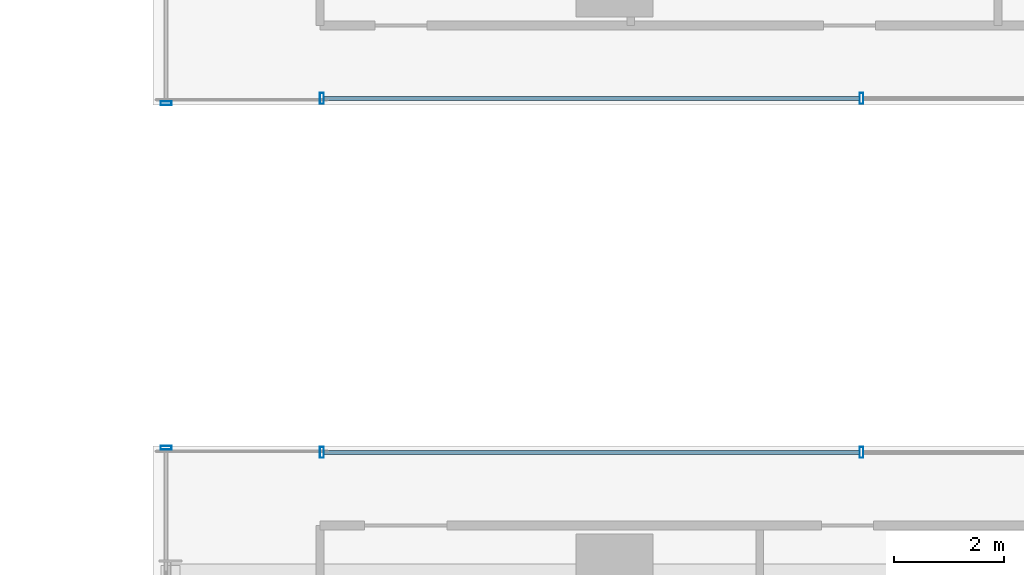
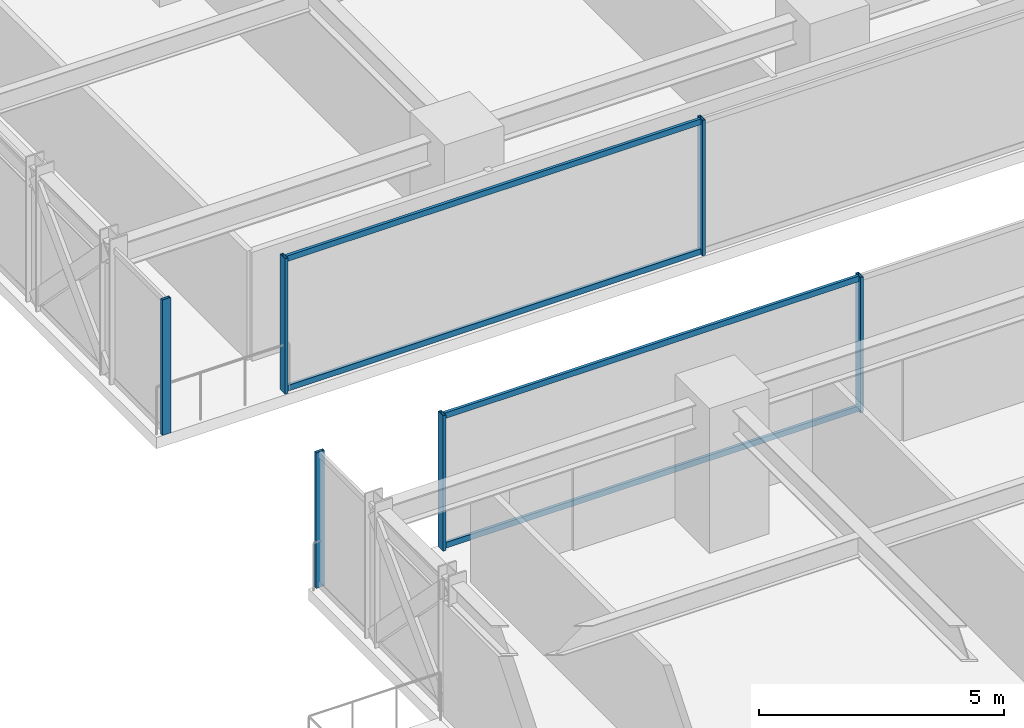
# One storey, part 9 of 37: 10 members, 4 elements without a shape of their own.
"""IFC4 building model written with IfcOpenShell, lengths in metres."""

from ifc_helpers import new_model, si_unit, direction, frame, origin, origin_2d, place, context, subcontext, project, spatial, hollow_rectangle, extrude, source, transform, mapped, material, material_profile, profile_set, type_object, element, aggregate, save


model = new_model("IFC4")

# Units and contexts
model_context = context("Model", 3, precision=1e-05, world=origin(), true_north=direction((0.0, 1.0)))
body_context = subcontext(model_context, "Body", "Model", "MODEL_VIEW")
ifc_project = project(units=[si_unit("LENGTHUNIT", "METRE"), si_unit("AREAUNIT", "SQUARE_METRE"), si_unit("VOLUMEUNIT", "CUBIC_METRE"), si_unit("PLANEANGLEUNIT", "RADIAN"), si_unit("MASSUNIT", "GRAM", prefix="KILO")], contexts=[model_context])

# Site, building, storey
site_placement = place(None, origin())
site = spatial("IfcSite", under=ifc_project, at=site_placement, CompositionType="ELEMENT")
building_placement = place(site_placement, origin())
building = spatial("IfcBuilding", under=site, at=building_placement, Name="Nahalor Promenade Grand Hotel", CompositionType="ELEMENT")
storey_placement = place(building_placement, frame((0.0, 0.0, 65.25)))
storey = spatial("IfcBuildingStorey", under=building, at=storey_placement, Name="L15", CompositionType="ELEMENT", Elevation=65.25)

# Curtain wall, members
ifc_material = material(Name="Anodised Bronze Aluminium EN AW-6063 T6", Category="aluminium")
curtain_wall_type = type_object("IfcCurtainWallType", Name="CW3 Elliptical-Void Collar Unitised Curtain Wall", PredefinedType="USERDEFINED", material=ifc_material)
curtain_wall_1_placement = place(storey_placement, origin())
curtain_wall_1 = element("IfcCurtainWall", 1, at=curtain_wall_1_placement, inside=storey, type_object=curtain_wall_type, Name="L15 Curtain Wall CW-L15-VOID-WS1", ObjectType="UNITISED_CURTAIN_WALL", PredefinedType="USERDEFINED")
ifc_material_profile_1 = material_profile(ifc_material, hollow_rectangle(XDim=0.07, YDim=0.14, WallThickness=0.004, at=origin_2d()), Name="CWT 70x140x4")
ifc_profile_set_1 = profile_set([ifc_material_profile_1], Name="Anodised Bronze Aluminium EN AW-6063 T6")
member_type_1 = type_object("IfcMemberType", Name="CWT3 Void Collar Transom 70x140", PredefinedType="USERDEFINED", material=ifc_profile_set_1)
shared_shape_1 = source(origin(), body_context, "Body", "SweptSolid", [
    extrude(hollow_rectangle(XDim=0.07, YDim=0.14, WallThickness=0.004, at=origin_2d()), origin(), (0.0, 0.0, 1.0), 9.748291015625),
])
member_1_placement = place(storey_placement, frame((-22.2900390625, -3.219970703125, 0.070068359375), z_axis=(1.0, 0.0, 0.0), x_axis=(0.0, 1.0, 0.0)))
member_1 = element("IfcMember", 2, at=member_1_placement, type_object=member_type_1, Name="CW-L15-VOID-WS1 Transom 0-0", ObjectType="TRANSOM", PredefinedType="USERDEFINED", context=body_context, shape_type="MappedRepresentation", body=[
    mapped(shared_shape_1, transform((0.0, 0.0, 0.0), scale=1.0)),
])
member_2_placement = place(storey_placement, frame((-22.2900390625, -3.219970703125, 3.300048828125), z_axis=(1.0, 0.0, 0.0), x_axis=(0.0, 1.0, 0.0)))
member_2 = element("IfcMember", 3, at=member_2_placement, type_object=member_type_1, Name="CW-L15-VOID-WS1 Transom 0-1", ObjectType="TRANSOM", PredefinedType="USERDEFINED", context=body_context, shape_type="MappedRepresentation", body=[
    mapped(shared_shape_1, transform((0.0, 0.0, 0.0), scale=1.0)),
])

curtain_wall_2_placement = place(storey_placement, origin())
curtain_wall_2 = element("IfcCurtainWall", 4, at=curtain_wall_2_placement, inside=storey, type_object=curtain_wall_type, Name="L15 Curtain Wall CW-L15-VOID-WN1", ObjectType="UNITISED_CURTAIN_WALL", PredefinedType="USERDEFINED")
member_3_placement = place(storey_placement, frame((-22.2900390625, 3.219970703125, 0.070068359375), z_axis=(1.0, 0.0, 0.0), x_axis=(0.0, 1.0, 0.0)))
member_3 = element("IfcMember", 5, at=member_3_placement, type_object=member_type_1, Name="CW-L15-VOID-WN1 Transom 0-0", ObjectType="TRANSOM", PredefinedType="USERDEFINED", context=body_context, shape_type="MappedRepresentation", body=[
    mapped(shared_shape_1, transform((0.0, 0.0, 0.0), scale=1.0)),
])
member_4_placement = place(storey_placement, frame((-22.2900390625, 3.219970703125, 3.300048828125), z_axis=(1.0, 0.0, 0.0), x_axis=(0.0, 1.0, 0.0)))
member_4 = element("IfcMember", 6, at=member_4_placement, type_object=member_type_1, Name="CW-L15-VOID-WN1 Transom 0-1", ObjectType="TRANSOM", PredefinedType="USERDEFINED", context=body_context, shape_type="MappedRepresentation", body=[
    mapped(shared_shape_1, transform((0.0, 0.0, 0.0), scale=1.0)),
])

# Curtain wall, member
curtain_wall_3_placement = place(storey_placement, origin())
curtain_wall_3 = element("IfcCurtainWall", 7, at=curtain_wall_3_placement, inside=storey, type_object=curtain_wall_type, Name="L15 Curtain Wall CW-L15-W-3", ObjectType="UNITISED_CURTAIN_WALL", PredefinedType="USERDEFINED")
ifc_material_profile_2 = material_profile(ifc_material, hollow_rectangle(XDim=0.07, YDim=0.2, WallThickness=0.005, at=origin_2d()), Name="CWM 70x200x5")
ifc_profile_set_2 = profile_set([ifc_material_profile_2], Name="Anodised Bronze Aluminium EN AW-6063 T6")
member_type_2 = type_object("IfcMemberType", Name="CWM3 Void Collar Mullion 70x200", PredefinedType="MULLION", material=ifc_profile_set_2)
shared_shape_2 = source(origin(), body_context, "Body", "SweptSolid", [
    extrude(hollow_rectangle(XDim=0.07, YDim=0.2, WallThickness=0.005, at=origin_2d()), origin(), (0.0, 0.0, 1.0), 3.3701171875),
])
member_5_placement = place(storey_placement, frame((-25.159912109375, -3.135009765625, 0.0), z_axis=(0.0, 0.0, 1.0), x_axis=(0.0, 1.0, 0.0)))
member_5 = element("IfcMember", 8, at=member_5_placement, type_object=member_type_2, Name="CW-L15-W-3 Mullion 1", PredefinedType="MULLION", context=body_context, shape_type="MappedRepresentation", body=[
    mapped(shared_shape_2, transform((0.0, 0.0, 0.0), scale=1.0)),
])
aggregate(curtain_wall_3, [member_5])

curtain_wall_4_placement = place(storey_placement, origin())
curtain_wall_4 = element("IfcCurtainWall", 9, at=curtain_wall_4_placement, inside=storey, type_object=curtain_wall_type, Name="L15 Curtain Wall CW-L15-W-4", ObjectType="UNITISED_CURTAIN_WALL", PredefinedType="USERDEFINED")
member_6_placement = place(storey_placement, frame((-25.159912109375, 3.135009765625, 0.0), z_axis=(0.0, 0.0, 1.0), x_axis=(0.0, 1.0, 0.0)))
member_6 = element("IfcMember", 10, at=member_6_placement, type_object=member_type_2, Name="CW-L15-W-4 Mullion 0", PredefinedType="MULLION", context=body_context, shape_type="MappedRepresentation", body=[
    mapped(shared_shape_2, transform((0.0, 0.0, 0.0), scale=1.0)),
])
aggregate(curtain_wall_4, [member_6])

# Member
member_7_placement = place(storey_placement, frame((-22.324951171875, -3.219970703125, 0.0), z_axis=(0.0, 0.0, 1.0), x_axis=(1.0, 0.0, 0.0)))
member_7 = element("IfcMember", 11, at=member_7_placement, type_object=member_type_2, Name="CW-L15-VOID-WS1 Mullion 0", PredefinedType="MULLION", context=body_context, shape_type="MappedRepresentation", body=[
    mapped(shared_shape_2, transform((0.0, 0.0, 0.0), scale=1.0)),
])

member_8_placement = place(storey_placement, frame((-12.506591796875, -3.219970703125, 0.0), z_axis=(0.0, 0.0, 1.0), x_axis=(1.0, 0.0, 0.0)))
member_8 = element("IfcMember", 12, at=member_8_placement, type_object=member_type_2, Name="CW-L15-VOID-WS1 Mullion 1", PredefinedType="MULLION", context=body_context, shape_type="MappedRepresentation", body=[
    mapped(shared_shape_2, transform((0.0, 0.0, 0.0), scale=1.0)),
])

aggregate(curtain_wall_1, [member_7, member_8, member_1, member_2])

member_9_placement = place(storey_placement, frame((-22.324951171875, 3.219970703125, 0.0), z_axis=(0.0, 0.0, 1.0), x_axis=(1.0, 0.0, 0.0)))
member_9 = element("IfcMember", 13, at=member_9_placement, type_object=member_type_2, Name="CW-L15-VOID-WN1 Mullion 0", PredefinedType="MULLION", context=body_context, shape_type="MappedRepresentation", body=[
    mapped(shared_shape_2, transform((0.0, 0.0, 0.0), scale=1.0)),
])

member_10_placement = place(storey_placement, frame((-12.506591796875, 3.219970703125, 0.0), z_axis=(0.0, 0.0, 1.0), x_axis=(1.0, 0.0, 0.0)))
member_10 = element("IfcMember", 14, at=member_10_placement, type_object=member_type_2, Name="CW-L15-VOID-WN1 Mullion 1", PredefinedType="MULLION", context=body_context, shape_type="MappedRepresentation", body=[
    mapped(shared_shape_2, transform((0.0, 0.0, 0.0), scale=1.0)),
])

aggregate(curtain_wall_2, [member_9, member_10, member_3, member_4])

save(model, "model.ifc")
